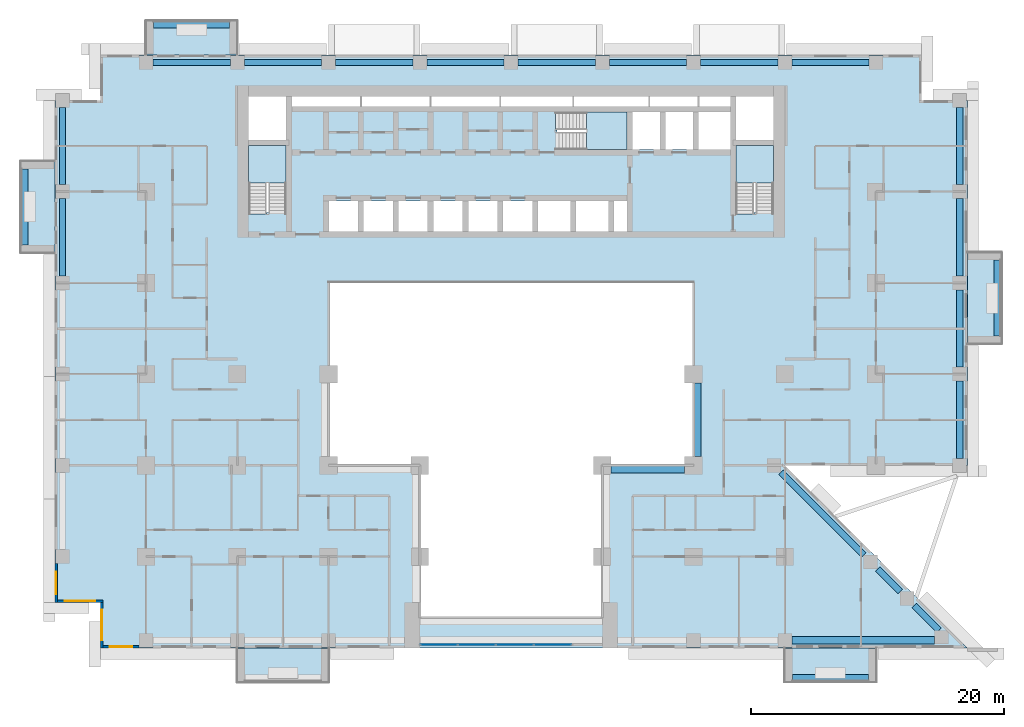
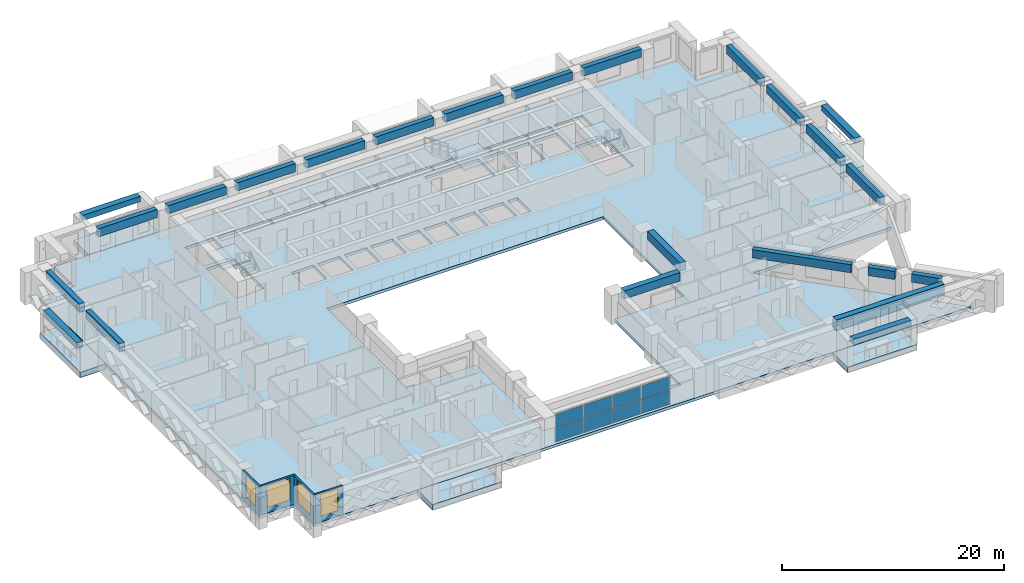
# One storey, part 5 of 17: 24 beams, 9 slabs, 8 plates, 4 walls, 4 windows, 4 openings, 4 elements without a shape of their own.
"""IFC4 building model written with IfcOpenShell, lengths in metres."""

from ifc_helpers import new_model, si_unit, direction, frame, frame_2d, origin, origin_2d, place, context, subcontext, project, spatial, polyline, rectangle, outline, extrude, source, transform, mapped, material, layer, layer_set, material_profile, profile_set, type_object, element, fill, aggregate, save


model = new_model("IFC4")

# Units and contexts
model_context = context("Model", 3, precision=1e-05, world=origin(), true_north=direction((0.0, 1.0)))
body_context = subcontext(model_context, "Body", "Model", "MODEL_VIEW")
ifc_project = project(units=[si_unit("LENGTHUNIT", "METRE"), si_unit("AREAUNIT", "SQUARE_METRE"), si_unit("VOLUMEUNIT", "CUBIC_METRE"), si_unit("PLANEANGLEUNIT", "RADIAN"), si_unit("MASSUNIT", "GRAM", prefix="KILO")], contexts=[model_context])

# Site, building, storey
site_placement = place(None, origin())
site = spatial("IfcSite", under=ifc_project, at=site_placement, CompositionType="ELEMENT")
building_placement = place(site_placement, origin())
building = spatial("IfcBuilding", under=site, at=building_placement, Name="Saffron Iwan Residences", CompositionType="ELEMENT")
storey_placement = place(building_placement, frame((0.0, 0.0, 55.0)))
storey = spatial("IfcBuildingStorey", under=building, at=storey_placement, Name="L13", CompositionType="ELEMENT", Elevation=55.0)

# Beams
ifc_material_1 = material(Name="Concrete C60/75", Category="concrete")
ifc_material_profile_1 = material_profile(ifc_material_1, rectangle(XDim=0.5, YDim=0.89990234375, at=origin_2d()), Name="RC 500x900")
ifc_profile_set_1 = profile_set([ifc_material_profile_1], Name="Concrete C60/75")
beam_type_1 = type_object("IfcBeamType", Name="SPANDREL BEAM RC 500x900 C60/75 TOP 3180", PredefinedType="SPANDREL", material=ifc_profile_set_1)
shared_shape_1 = source(origin(), body_context, "Body", "SweptSolid", [
    extrude(rectangle(XDim=0.5, YDim=0.89990234375, at=origin_2d()), origin(), (0.0, 0.0, 1.0), 6.10009765625),
])
for number, where, z_axis, x_axis, name in (
    (1, (85.800048828125, 61.85009765625, 2.72998046875), (0.0, -1.0, 0.0), (1.0, 0.0, 0.0), "Spandrel beam"),
    (2, (15.0, 62.949951171875, 2.72998046875), (0.0, 1.0, 0.0), (-1.0, 0.0, 0.0), "Spandrel beam"),
    (3, (85.800048828125, 69.050048828125, 2.72998046875), (0.0, -1.0, 0.0), (1.0, 0.0, 0.0), "Spandrel beam"),
    (4, (15.0, 70.14990234375, 2.72998046875), (0.0, 1.0, 0.0), (-1.0, 0.0, 0.0), "Spandrel beam"),
    (5, (85.800048828125, 76.25, 2.72998046875), (0.0, -1.0, 0.0), (1.0, 0.0, 0.0), "Spandrel beam"),
    (6, (22.14990234375, 79.800048828125, 2.72998046875), (1.0, 0.0, 0.0), (0.0, 1.0, 0.0), "Spandrel beam"),
    (7, (43.75, 79.800048828125, 2.72998046875), (1.0, 0.0, 0.0), (0.0, 1.0, 0.0), "Spandrel beam"),
    (8, (50.949951171875, 79.800048828125, 2.72998046875), (1.0, 0.0, 0.0), (0.0, 1.0, 0.0), "Spandrel beam"),
    (9, (58.14990234375, 79.800048828125, 2.72998046875), (1.0, 0.0, 0.0), (0.0, 1.0, 0.0), "Spandrel beam"),
):
    element("IfcBeam", number, at=place(storey_placement, frame(where, z_axis=z_axis, x_axis=x_axis)), inside=storey, type_object=beam_type_1, Name=name, PredefinedType="SPANDREL", context=body_context, shape_type="MappedRepresentation", body=[
        mapped(shared_shape_1, transform((0.0, 0.0, 0.0))),
    ])
shared_shape_2 = source(origin(), body_context, "Body", "SweptSolid", [
    extrude(rectangle(XDim=0.5, YDim=0.89990234375, at=origin_2d()), origin(), (0.0, 0.0, 1.0), 6.099853515625),
])
for number, where, z_axis, x_axis, name in (
    (10, (85.800048828125, 54.64990234375, 2.72998046875), (0.0, -1.0, 0.0), (1.0, 0.0, 0.0), "Spandrel beam"),
    (11, (29.35009765625, 79.800048828125, 2.72998046875), (1.0, 0.0, 0.0), (0.0, 1.0, 0.0), "Spandrel beam"),
    (12, (36.550048828125, 79.800048828125, 2.72998046875), (1.0, 0.0, 0.0), (0.0, 1.0, 0.0), "Spandrel beam"),
    (13, (65.35009765625, 79.800048828125, 2.72998046875), (1.0, 0.0, 0.0), (0.0, 1.0, 0.0), "Spandrel beam"),
    (14, (72.550048828125, 79.800048828125, 2.72998046875), (1.0, 0.0, 0.0), (0.0, 1.0, 0.0), "Spandrel beam"),
):
    element("IfcBeam", number, at=place(storey_placement, frame(where, z_axis=z_axis, x_axis=x_axis)), inside=storey, type_object=beam_type_1, Name=name, PredefinedType="SPANDREL", context=body_context, shape_type="MappedRepresentation", body=[
        mapped(shared_shape_2, transform((0.0, 0.0, 0.0))),
    ])
shared_shape_3 = source(origin(), body_context, "Body", "SweptSolid", [
    extrude(rectangle(XDim=0.5, YDim=0.89990234375, at=origin_2d()), origin(), (0.0, 0.0, 1.0), 2.76318359375),
])
beam_1_placement = place(storey_placement, frame((82.205810546875, 36.94580078125, 2.72998046875), z_axis=(0.707106781187, -0.707106781187, 0.0), x_axis=(0.707106781187, 0.707106781187, 0.0)))
element("IfcBeam", 15, at=beam_1_placement, inside=storey, type_object=beam_type_1, Name="Spandrel beam", PredefinedType="SPANDREL", context=body_context, shape_type="MappedRepresentation", body=[
    mapped(shared_shape_3, transform((0.0, 0.0, 0.0))),
])
shared_shape_4 = source(origin(), body_context, "Body", "SweptSolid", [
    extrude(rectangle(XDim=0.5, YDim=0.89990234375, at=origin_2d()), origin(), (0.0, 0.0, 1.0), 2.517333984375),
])
beam_2_placement = place(storey_placement, frame((79.32568359375, 39.82568359375, 2.72998046875), z_axis=(0.707106781187, -0.707106781187, 0.0), x_axis=(0.707106781187, 0.707106781187, 0.0)))
element("IfcBeam", 16, at=beam_2_placement, inside=storey, type_object=beam_type_1, Name="Spandrel beam", PredefinedType="SPANDREL", context=body_context, shape_type="MappedRepresentation", body=[
    mapped(shared_shape_4, transform((0.0, 0.0, 0.0))),
])
shared_shape_5 = source(origin(), body_context, "Body", "SweptSolid", [
    extrude(rectangle(XDim=0.5, YDim=0.89990234375, at=origin_2d()), origin(), (0.0, 0.0, 1.0), 9.228759765625),
])
beam_3_placement = place(storey_placement, frame((71.699951171875, 47.451416015625, 2.72998046875), z_axis=(0.707120008149, -0.707093553977, 0.0), x_axis=(0.707093553977, 0.707120008149, 0.0)))
element("IfcBeam", 17, at=beam_3_placement, inside=storey, type_object=beam_type_1, Name="Spandrel beam", PredefinedType="SPANDREL", context=body_context, shape_type="MappedRepresentation", body=[
    mapped(shared_shape_5, transform((0.0, 0.0, 0.0))),
])
ifc_material_profile_2 = material_profile(ifc_material_1, rectangle(XDim=0.60009765625, YDim=1.199951171875, at=origin_2d()), Name="RC 600x1200")
ifc_profile_set_2 = profile_set([ifc_material_profile_2], Name="Concrete C60/75")
beam_type_2 = type_object("IfcBeamType", Name="LINTEL BEAM RC 600x1200 C60/75 TOP 3180", PredefinedType="LINTEL", material=ifc_profile_set_2)
shared_shape_6 = source(origin(), body_context, "Body", "SweptSolid", [
    extrude(rectangle(XDim=0.60009765625, YDim=1.199951171875, at=origin_2d()), origin(), (0.0, 0.0, 1.0), 11.267333984375),
])
beam_4_placement = place(storey_placement, frame((83.8173828125, 34.199951171875, 2.580078125), z_axis=(-1.0, 0.0, 0.0), x_axis=(0.0, -1.0, 0.0)))
element("IfcBeam", 18, at=beam_4_placement, inside=storey, type_object=beam_type_2, Name="Lintel beam over the iwan", PredefinedType="LINTEL", context=body_context, shape_type="MappedRepresentation", body=[
    mapped(shared_shape_6, transform((0.0, 0.0, 0.0))),
])
ifc_material_profile_3 = material_profile(ifc_material_1, rectangle(XDim=0.60009765625, YDim=0.89990234375, at=origin_2d()), Name="RC 600x900")
ifc_profile_set_3 = profile_set([ifc_material_profile_3], Name="Concrete C60/75")
beam_type_3 = type_object("IfcBeamType", Name="BEAM RC 600x900 C60/75 TOP 3180", PredefinedType="BEAM", material=ifc_profile_set_3)
shared_shape_7 = source(origin(), body_context, "Body", "SweptSolid", [
    extrude(rectangle(XDim=0.60009765625, YDim=0.89990234375, at=origin_2d()), origin(), (0.0, 0.0, 1.0), 5.800048828125),
])
for number, where, z_axis, x_axis, name in (
    (19, (64.10009765625, 47.699951171875, 2.72998046875), (-1.0, 0.0, 0.0), (0.0, -1.0, 0.0), "Atrium edge beam"),
    (20, (65.10009765625, 54.5, 2.72998046875), (0.0, -1.0, 0.0), (1.0, 0.0, 0.0), "Atrium edge beam"),
):
    element("IfcBeam", number, at=place(storey_placement, frame(where, z_axis=z_axis, x_axis=x_axis)), inside=storey, type_object=beam_type_3, Name=name, PredefinedType="BEAM", context=body_context, shape_type="MappedRepresentation", body=[
        mapped(shared_shape_7, transform((0.0, 0.0, 0.0))),
    ])
ifc_material_2 = material(Name="Concrete C50/60 white painted", Category="concrete")
ifc_material_profile_4 = material_profile(ifc_material_2, rectangle(XDim=0.60009765625, YDim=0.60009765625, at=origin_2d()), Name="BALCONY FASCIA BEAM 600 x 600")
ifc_profile_set_4 = profile_set([ifc_material_profile_4], Name="Concrete C50/60 white painted")
beam_type_4 = type_object("IfcBeamType", Name="BALCONY FASCIA BEAM 600 x 600", PredefinedType="BEAM", material=ifc_profile_set_4)
shared_shape_8 = source(origin(), body_context, "Body", "SweptSolid", [
    extrude(rectangle(XDim=0.60009765625, YDim=0.60009765625, at=origin_2d()), origin(), (0.0, 0.0, 1.0), 6.0),
])
for number, where, z_axis, x_axis, name in (
    (21, (88.800048828125, 58.199951171875, 2.550048828125), (0.0, 1.0, 0.0), (-1.0, 0.0, 0.0), "Balcony fascia beam L13 F2-0"),
    (22, (28.199951171875, 82.800048828125, 2.550048828125), (-1.0, 0.0, 0.0), (0.0, -1.0, 0.0), "Balcony fascia beam L13 F5-3"),
    (23, (12.0, 71.39990234375, 2.550048828125), (0.0, -1.0, 0.0), (1.0, 0.0, 0.0), "Balcony fascia beam L13 F8-0"),
    (24, (72.60009765625, 31.199951171875, 2.550048828125), (1.0, 0.0, 0.0), (0.0, 1.0, 0.0), "Balcony fascia beam L13 11-1"),
):
    element("IfcBeam", number, at=place(storey_placement, frame(where, z_axis=z_axis, x_axis=x_axis)), inside=storey, type_object=beam_type_4, Name=name, PredefinedType="BEAM", context=body_context, shape_type="MappedRepresentation", body=[
        mapped(shared_shape_8, transform((0.0, 0.0, 0.0))),
    ])

# Slabs
ifc_layer_1 = layer(ifc_material_2, 0.60009765625)
ifc_layer_set_1 = layer_set([ifc_layer_1], Name="Concrete C50/60 white painted")
slab_type_1 = type_object("IfcSlabType", Name="BALCONY FRAME SLAB 600", PredefinedType="FLOOR", material=ifc_layer_set_1)
slab_1_placement = place(storey_placement, frame((0.0, 0.0, -0.60009765625)))
element("IfcSlab", 25, at=slab_1_placement, inside=storey, type_object=slab_type_1, Name="Balcony frame slab L13 F2-0", PredefinedType="FLOOR", context=body_context, shape_type="SweptSolid", body=[
    extrude(outline(polyline([(89.10009765625, 57.60009765625), (89.10009765625, 64.800048828125), (86.39990234375, 64.800048828125), (86.39990234375, 57.60009765625), (89.10009765625, 57.60009765625)])), origin(), (0.0, 0.0, 1.0), 0.60009765625),
])
slab_2_placement = place(storey_placement, frame((0.0, 0.0, -0.60009765625)))
element("IfcSlab", 26, at=slab_2_placement, inside=storey, type_object=slab_type_1, Name="Balcony frame slab L13 F5-3", PredefinedType="FLOOR", context=body_context, shape_type="SweptSolid", body=[
    extrude(outline(polyline([(28.800048828125, 83.10009765625), (21.60009765625, 83.10009765625), (21.60009765625, 80.39990234375), (28.800048828125, 80.39990234375), (28.800048828125, 83.10009765625)])), origin(), (0.0, 0.0, 1.0), 0.60009765625),
])
slab_3_placement = place(storey_placement, frame((0.0, 0.0, -0.60009765625)))
element("IfcSlab", 27, at=slab_3_placement, inside=storey, type_object=slab_type_1, Name="Balcony frame slab L13 F8-0", PredefinedType="FLOOR", context=body_context, shape_type="SweptSolid", body=[
    extrude(outline(polyline([(11.699951171875, 72.0), (11.699951171875, 64.800048828125), (14.39990234375, 64.800048828125), (14.39990234375, 72.0), (11.699951171875, 72.0)])), origin(), (0.0, 0.0, 1.0), 0.60009765625),
])
slab_4_placement = place(storey_placement, frame((0.0, 0.0, -0.60009765625)))
element("IfcSlab", 28, at=slab_4_placement, inside=storey, type_object=slab_type_1, Name="Balcony frame slab L13 11-0", PredefinedType="FLOOR", context=body_context, shape_type="SweptSolid", body=[
    extrude(outline(polyline([(28.800048828125, 30.89990234375), (36.0, 30.89990234375), (36.0, 33.60009765625), (28.800048828125, 33.60009765625), (28.800048828125, 30.89990234375)])), origin(), (0.0, 0.0, 1.0), 0.60009765625),
])
slab_5_placement = place(storey_placement, frame((0.0, 0.0, -0.60009765625)))
element("IfcSlab", 29, at=slab_5_placement, inside=storey, type_object=slab_type_1, Name="Balcony frame slab L13 11-1", PredefinedType="FLOOR", context=body_context, shape_type="SweptSolid", body=[
    extrude(outline(polyline([(72.0, 30.89990234375), (79.199951171875, 30.89990234375), (79.199951171875, 33.60009765625), (72.0, 33.60009765625), (72.0, 30.89990234375)])), origin(), (0.0, 0.0, 1.0), 0.60009765625),
])
ifc_material_3 = material(Name="Concrete C40/50", Category="concrete")
ifc_layer_2 = layer(ifc_material_3, 0.320068359375)
ifc_layer_set_2 = layer_set([ifc_layer_2], Name="Concrete C40/50")
slab_type_2 = type_object("IfcSlabType", Name="PT PLATE 320 C40/50", PredefinedType="FLOOR", material=ifc_layer_set_2)
slab_6_placement = place(storey_placement, frame((0.0, 0.0, -0.320068359375)))
element("IfcSlab", 30, at=slab_6_placement, inside=storey, type_object=slab_type_2, Name="Floor slab L13", PredefinedType="FLOOR", context=body_context, shape_type="SweptSolid", body=[
    extrude(outline(polyline([(14.39990234375, 37.199951171875), (14.39990234375, 76.800048828125), (18.0, 76.800048828125), (18.0, 80.39990234375), (82.800048828125, 80.39990234375), (82.800048828125, 76.800048828125), (86.39990234375, 76.800048828125), (86.39990234375, 48.0), (72.0, 48.0), (86.39990234375, 33.60009765625), (18.0, 33.60009765625), (18.0, 37.199951171875), (14.39990234375, 37.199951171875)]), holes=[polyline([(64.800048828125, 48.0), (64.800048828125, 62.39990234375), (36.0, 62.39990234375), (36.0, 48.0), (43.199951171875, 48.0), (43.199951171875, 36.0), (57.60009765625, 36.0), (57.60009765625, 48.0), (64.800048828125, 48.0)]), polyline([(38.324951171875, 68.875), (36.02490234375, 68.875), (36.02490234375, 66.449951171875), (38.324951171875, 66.449951171875), (38.324951171875, 68.875)]), polyline([(41.074951171875, 66.449951171875), (41.074951171875, 68.875), (38.77490234375, 68.875), (38.77490234375, 66.449951171875), (41.074951171875, 66.449951171875)]), polyline([(43.824951171875, 66.449951171875), (43.824951171875, 68.875), (41.52490234375, 68.875), (41.52490234375, 66.449951171875), (43.824951171875, 66.449951171875)]), polyline([(46.574951171875, 68.875), (44.27490234375, 68.875), (44.27490234375, 66.449951171875), (46.574951171875, 66.449951171875), (46.574951171875, 68.875)]), polyline([(49.324951171875, 66.449951171875), (49.324951171875, 68.875), (47.02490234375, 68.875), (47.02490234375, 66.449951171875), (49.324951171875, 66.449951171875)]), polyline([(52.074951171875, 66.449951171875), (52.074951171875, 68.875), (49.77490234375, 68.875), (49.77490234375, 66.449951171875), (52.074951171875, 66.449951171875)]), polyline([(29.699951171875, 73.25), (29.699951171875, 67.949951171875), (29.699951171875, 67.8505859375), (31.10009765625, 67.8505859375), (31.10009765625, 67.949951171875), (32.64990234375, 67.949951171875), (32.64990234375, 73.25), (29.699951171875, 73.25)]), polyline([(32.64990234375, 73.699951171875), (32.64990234375, 77.10009765625), (29.699951171875, 77.10009765625), (29.699951171875, 73.699951171875), (32.64990234375, 73.699951171875)]), polyline([(38.5, 76.324951171875), (38.5, 77.10009765625), (33.10009765625, 77.10009765625), (33.10009765625, 76.324951171875), (38.5, 76.324951171875)]), polyline([(44.0, 77.10009765625), (38.60009765625, 77.10009765625), (38.60009765625, 76.324951171875), (44.0, 76.324951171875), (44.0, 77.10009765625)]), polyline([(49.5, 76.324951171875), (49.5, 77.10009765625), (44.10009765625, 77.10009765625), (44.10009765625, 76.324951171875), (49.5, 76.324951171875)]), polyline([(55.25, 76.324951171875), (55.25, 77.10009765625), (49.60009765625, 77.10009765625), (49.60009765625, 76.324951171875), (55.25, 76.324951171875)]), polyline([(55.074951171875, 68.875), (52.52490234375, 68.875), (52.52490234375, 66.449951171875), (55.074951171875, 66.449951171875), (55.074951171875, 68.875)]), polyline([(58.074951171875, 66.449951171875), (58.074951171875, 68.875), (55.52490234375, 68.875), (55.52490234375, 66.449951171875), (58.074951171875, 66.449951171875)]), polyline([(59.550048828125, 66.449951171875), (59.550048828125, 68.875), (58.52490234375, 68.875), (58.52490234375, 66.449951171875), (59.550048828125, 66.449951171875)]), polyline([(68.14990234375, 73.25), (68.14990234375, 67.949951171875), (68.14990234375, 67.8505859375), (69.550048828125, 67.8505859375), (69.550048828125, 67.949951171875), (71.10009765625, 67.949951171875), (71.10009765625, 73.25), (68.14990234375, 73.25)]), polyline([(53.925537109375, 74.47509765625), (54.02490234375, 74.47509765625), (54.02490234375, 72.925048828125), (59.550048828125, 72.925048828125), (59.550048828125, 75.875), (54.02490234375, 75.875), (53.925537109375, 75.875), (53.925537109375, 74.47509765625)]), polyline([(62.14990234375, 72.925048828125), (62.14990234375, 75.875), (60.0, 75.875), (60.0, 72.925048828125), (62.14990234375, 72.925048828125)]), polyline([(64.75, 75.875), (62.60009765625, 75.875), (62.60009765625, 72.925048828125), (64.75, 72.925048828125), (64.75, 75.875)]), polyline([(67.699951171875, 72.925048828125), (67.699951171875, 75.875), (65.199951171875, 75.875), (65.199951171875, 72.925048828125), (67.699951171875, 72.925048828125)]), polyline([(71.10009765625, 73.699951171875), (71.10009765625, 77.10009765625), (68.14990234375, 77.10009765625), (68.14990234375, 73.699951171875), (71.10009765625, 73.699951171875)]), polyline([(61.25, 77.10009765625), (55.35009765625, 77.10009765625), (55.35009765625, 76.324951171875), (61.25, 76.324951171875), (61.25, 77.10009765625)]), polyline([(65.14990234375, 76.324951171875), (65.14990234375, 77.10009765625), (61.35009765625, 77.10009765625), (61.35009765625, 76.324951171875), (65.14990234375, 76.324951171875)]), polyline([(67.699951171875, 76.324951171875), (67.699951171875, 77.10009765625), (65.25, 77.10009765625), (65.25, 76.324951171875), (67.699951171875, 76.324951171875)])]), origin(), (0.0, 0.0, 1.0), 0.320068359375),
])

# Stair, slab
ifc_material_4 = material(Name="Concrete C50/60", Category="concrete")
stair_type = type_object("IfcStairType", Name="Stair ST-CORE", PredefinedType="HALF_TURN_STAIR", material=ifc_material_4)
stair_1_placement = place(storey_placement, origin())
stair_1 = element("IfcStair", 31, at=stair_1_placement, inside=storey, type_object=stair_type, Name="L13 Exit Stair ST-W", PredefinedType="HALF_TURN_STAIR")
ifc_layer_3 = layer(ifc_material_4, 0.199951171875)
ifc_layer_set_3 = layer_set([ifc_layer_3], Name="Concrete C50/60")
slab_type_3 = type_object("IfcSlabType", Name="Stair landing SL-RC", PredefinedType="LANDING", material=ifc_layer_set_3)
slab_7_placement = place(storey_placement, frame((0.0, 0.0, 1.5498046875)))
slab_7 = element("IfcSlab", 32, at=slab_7_placement, type_object=slab_type_3, Name="ST-W landing 1", PredefinedType="LANDING", context=body_context, shape_type="SweptSolid", body=[
    extrude(outline(polyline([(32.64990234375, 70.280029296875), (32.64990234375, 73.25), (29.699951171875, 73.25), (29.699951171875, 70.280029296875), (32.64990234375, 70.280029296875)])), origin(), (0.0, 0.0, 1.0), 0.2001953125),
])
aggregate(stair_1, [slab_7])

stair_2_placement = place(storey_placement, origin())
stair_2 = element("IfcStair", 33, at=stair_2_placement, inside=storey, type_object=stair_type, Name="L13 Exit Stair ST-C", PredefinedType="HALF_TURN_STAIR")
slab_8_placement = place(storey_placement, frame((0.0, 0.0, 1.5498046875)))
slab_8 = element("IfcSlab", 34, at=slab_8_placement, type_object=slab_type_3, Name="ST-C landing 1", PredefinedType="LANDING", context=body_context, shape_type="SweptSolid", body=[
    extrude(outline(polyline([(56.35498046875, 72.925048828125), (59.550048828125, 72.925048828125), (59.550048828125, 75.875), (56.35498046875, 75.875), (56.35498046875, 72.925048828125)])), origin(), (0.0, 0.0, 1.0), 0.2001953125),
])
aggregate(stair_2, [slab_8])

stair_3_placement = place(storey_placement, origin())
stair_3 = element("IfcStair", 35, at=stair_3_placement, inside=storey, type_object=stair_type, Name="L13 Exit Stair ST-E", PredefinedType="HALF_TURN_STAIR")
slab_9_placement = place(storey_placement, frame((0.0, 0.0, 1.5498046875)))
slab_9 = element("IfcSlab", 36, at=slab_9_placement, type_object=slab_type_3, Name="ST-E landing 1", PredefinedType="LANDING", context=body_context, shape_type="SweptSolid", body=[
    extrude(outline(polyline([(71.10009765625, 70.280029296875), (71.10009765625, 73.25), (68.14990234375, 73.25), (68.14990234375, 70.280029296875), (71.10009765625, 70.280029296875)])), origin(), (0.0, 0.0, 1.0), 0.2001953125),
])
aggregate(stair_3, [slab_9])

# Curtain wall, plates
ifc_material_5 = material(Name="Clear glass, laminated double glazed", Category="glass")
ifc_layer_4 = layer(ifc_material_5, 0.199951171875)
ifc_layer_set_4 = layer_set([ifc_layer_4], Name="Clear glass, laminated double glazed")
curtain_wall_type = type_object("IfcCurtainWallType", Name="CW-B IWAN PORTAL", PredefinedType="NOTDEFINED", material=ifc_layer_set_4)
curtain_wall_placement = place(storey_placement, origin())
curtain_wall = element("IfcCurtainWall", 37, at=curtain_wall_placement, inside=storey, type_object=curtain_wall_type, Name="Iwan portal glazing L13.1", PredefinedType="NOTDEFINED")
ifc_layer_5 = layer(ifc_material_5, 0.028076171875)
ifc_layer_set_5 = layer_set([ifc_layer_5], Name="Clear glass, laminated double glazed")
plate_type = type_object("IfcPlateType", Name="CW-B PANEL 28", PredefinedType="CURTAIN_PANEL", material=ifc_layer_set_5)
shared_shape_9 = source(origin(), body_context, "Body", "SweptSolid", [
    extrude(rectangle(XDim=2.909912109375, YDim=0.028076171875, at=origin_2d()), origin(), (0.0, 0.0, 1.0), 1.5),
])
plate_1_placement = place(storey_placement, frame((44.715087890625, 33.85009765625, 0.06005859375), z_axis=(0.0, 0.0, 1.0), x_axis=(1.0, 0.0, 0.0)))
plate_1 = element("IfcPlate", 38, at=plate_1_placement, type_object=plate_type, Name="CW-B panel 1.1", PredefinedType="CURTAIN_PANEL", context=body_context, shape_type="MappedRepresentation", body=[
    mapped(shared_shape_9, transform((0.0, 0.0, 0.0))),
])
plate_2_placement = place(storey_placement, frame((44.715087890625, 33.85009765625, 1.6201171875), z_axis=(0.0, 0.0, 1.0), x_axis=(1.0, 0.0, 0.0)))
plate_2 = element("IfcPlate", 39, at=plate_2_placement, type_object=plate_type, Name="CW-B panel 1.2", PredefinedType="CURTAIN_PANEL", context=body_context, shape_type="MappedRepresentation", body=[
    mapped(shared_shape_9, transform((0.0, 0.0, 0.0))),
])
plate_3_placement = place(storey_placement, frame((53.68505859375, 33.85009765625, 0.06005859375), z_axis=(0.0, 0.0, 1.0), x_axis=(1.0, 0.0, 0.0)))
plate_3 = element("IfcPlate", 40, at=plate_3_placement, type_object=plate_type, Name="CW-B panel 4.1", PredefinedType="CURTAIN_PANEL", context=body_context, shape_type="MappedRepresentation", body=[
    mapped(shared_shape_9, transform((0.0, 0.0, 0.0))),
])
plate_4_placement = place(storey_placement, frame((53.68505859375, 33.85009765625, 1.6201171875), z_axis=(0.0, 0.0, 1.0), x_axis=(1.0, 0.0, 0.0)))
plate_4 = element("IfcPlate", 41, at=plate_4_placement, type_object=plate_type, Name="CW-B panel 4.2", PredefinedType="CURTAIN_PANEL", context=body_context, shape_type="MappedRepresentation", body=[
    mapped(shared_shape_9, transform((0.0, 0.0, 0.0))),
])
shared_shape_10 = source(origin(), body_context, "Body", "SweptSolid", [
    extrude(rectangle(XDim=2.93994140625, YDim=0.028076171875, at=origin_2d()), origin(), (0.0, 0.0, 1.0), 1.5),
])
plate_5_placement = place(storey_placement, frame((47.699951171875, 33.85009765625, 0.06005859375), z_axis=(0.0, 0.0, 1.0), x_axis=(1.0, 0.0, 0.0)))
plate_5 = element("IfcPlate", 42, at=plate_5_placement, type_object=plate_type, Name="CW-B panel 2.1", PredefinedType="CURTAIN_PANEL", context=body_context, shape_type="MappedRepresentation", body=[
    mapped(shared_shape_10, transform((0.0, 0.0, 0.0))),
])
plate_6_placement = place(storey_placement, frame((47.699951171875, 33.85009765625, 1.6201171875), z_axis=(0.0, 0.0, 1.0), x_axis=(1.0, 0.0, 0.0)))
plate_6 = element("IfcPlate", 43, at=plate_6_placement, type_object=plate_type, Name="CW-B panel 2.2", PredefinedType="CURTAIN_PANEL", context=body_context, shape_type="MappedRepresentation", body=[
    mapped(shared_shape_10, transform((0.0, 0.0, 0.0))),
])
plate_7_placement = place(storey_placement, frame((50.699951171875, 33.85009765625, 0.06005859375), z_axis=(0.0, 0.0, 1.0), x_axis=(1.0, 0.0, 0.0)))
plate_7 = element("IfcPlate", 44, at=plate_7_placement, type_object=plate_type, Name="CW-B panel 3.1", PredefinedType="CURTAIN_PANEL", context=body_context, shape_type="MappedRepresentation", body=[
    mapped(shared_shape_10, transform((0.0, 0.0, 0.0))),
])
plate_8_placement = place(storey_placement, frame((50.699951171875, 33.85009765625, 1.6201171875), z_axis=(0.0, 0.0, 1.0), x_axis=(1.0, 0.0, 0.0)))
plate_8 = element("IfcPlate", 45, at=plate_8_placement, type_object=plate_type, Name="CW-B panel 3.2", PredefinedType="CURTAIN_PANEL", context=body_context, shape_type="MappedRepresentation", body=[
    mapped(shared_shape_10, transform((0.0, 0.0, 0.0))),
])
aggregate(curtain_wall, [plate_1, plate_2, plate_5, plate_6, plate_7, plate_8, plate_3, plate_4])

# Wall, opening, window
ifc_layer_6 = layer(ifc_material_3, 0.199951171875)
ifc_layer_set_6 = layer_set([ifc_layer_6], Name="Concrete C40/50")
wall_type = type_object("IfcWallType", Name="EXTERNAL WALL 200", PredefinedType="SOLIDWALL", material=ifc_layer_set_6)
wall_1_placement = place(storey_placement, frame((14.5, 40.25, 0.0), z_axis=(0.0, 0.0, 1.0), x_axis=(0.0, -1.0, 0.0)))
wall_1 = element("IfcWall", 46, at=wall_1_placement, inside=storey, type_object=wall_type, Name="External wall L13 F8.5", PredefinedType="SOLIDWALL", context=body_context, shape_type="SweptSolid", body=[
    extrude(rectangle(XDim=3.050048828125, YDim=0.199951171875, at=frame_2d((1.52490234375, 0.0))), origin(), (0.0, 0.0, 1.0), 3.179931640625),
])
opening_1_placement = place(wall_1_placement, frame((0.625, 0.0, 0.60009765625)))
opening_1 = element("IfcOpeningElement", 47, at=opening_1_placement, cuts=wall_1, Name="Opening W8", PredefinedType="OPENING", context=body_context, shape_type="SweptSolid", body=[
    extrude(rectangle(XDim=1.800048828125, YDim=2.39990234375, at=frame_2d((0.89990234375, 1.199951171875))), frame((0.0, 0.10986328125, 0.0), z_axis=(0.0, -1.0, 0.0), x_axis=(1.0, 0.0, 0.0)), (0.0, 0.0, 1.0), 0.219970703125),
])
window_type_1 = type_object("IfcWindowType", Name="WINDOW 1800 x 2400", PartitioningType="DOUBLE_PANEL_VERTICAL", PredefinedType="WINDOW", material=ifc_material_5)
window_1_placement = place(opening_1_placement, origin())
window_1 = element("IfcWindow", 48, at=window_1_placement, inside=storey, type_object=window_type_1, Name="Window L13 F8.0", OverallHeight=2.39990234375, OverallWidth=1.800048828125, PartitioningType="DOUBLE_PANEL_VERTICAL", PredefinedType="WINDOW", context=body_context, shape_type="SweptSolid", body=[
    extrude(rectangle(XDim=1.800048828125, YDim=2.39990234375, at=frame_2d((0.89990234375, 1.199951171875))), frame((0.0, 0.030029296875, 0.0), z_axis=(0.0, -1.0, 0.0), x_axis=(1.0, 0.0, 0.0)), (0.0, 0.0, 1.0), 0.06005859375),
])
fill(opening_1, window_1)

wall_2_placement = place(storey_placement, frame((14.60009765625, 37.300048828125, 0.0), z_axis=(0.0, 0.0, 1.0), x_axis=(1.0, 0.0, 0.0)))
wall_2 = element("IfcWall", 49, at=wall_2_placement, inside=storey, type_object=wall_type, Name="External wall L13 F9.0", PredefinedType="SOLIDWALL", context=body_context, shape_type="SweptSolid", body=[
    extrude(rectangle(XDim=3.599853515625, YDim=0.199951171875, at=frame_2d((1.7998046875, 0.0))), origin(), (0.0, 0.0, 1.0), 3.179931640625),
])
opening_2_placement = place(wall_2_placement, frame((0.60009765625, 0.0, 0.60009765625)))
opening_2 = element("IfcOpeningElement", 50, at=opening_2_placement, cuts=wall_2, Name="Opening W1", PredefinedType="OPENING", context=body_context, shape_type="SweptSolid", body=[
    extrude(rectangle(XDim=2.39990234375, YDim=2.39990234375, at=frame_2d((1.199951171875, 1.199951171875))), frame((0.0, 0.10986328125, 0.0), z_axis=(0.0, -1.0, 0.0), x_axis=(1.0, 0.0, 0.0)), (0.0, 0.0, 1.0), 0.219970703125),
])
window_type_2 = type_object("IfcWindowType", Name="WINDOW 2400 x 2400", PartitioningType="DOUBLE_PANEL_VERTICAL", PredefinedType="WINDOW", material=ifc_material_5)
window_2_placement = place(opening_2_placement, origin())
window_2 = element("IfcWindow", 51, at=window_2_placement, inside=storey, type_object=window_type_2, Name="Window L13 F9.0", OverallHeight=2.39990234375, OverallWidth=2.39990234375, PartitioningType="DOUBLE_PANEL_VERTICAL", PredefinedType="WINDOW", context=body_context, shape_type="SweptSolid", body=[
    extrude(rectangle(XDim=2.39990234375, YDim=2.39990234375, at=frame_2d((1.199951171875, 1.199951171875))), frame((0.0, 0.030029296875, 0.0), z_axis=(0.0, -1.0, 0.0), x_axis=(1.0, 0.0, 0.0)), (0.0, 0.0, 1.0), 0.06005859375),
])
fill(opening_2, window_2)

wall_3_placement = place(storey_placement, frame((18.10009765625, 37.199951171875, 0.0), z_axis=(0.0, 0.0, 1.0), x_axis=(0.0, -1.0, 0.0)))
wall_3 = element("IfcWall", 52, at=wall_3_placement, inside=storey, type_object=wall_type, Name="External wall L13 F10.0", PredefinedType="SOLIDWALL", context=body_context, shape_type="SweptSolid", body=[
    extrude(rectangle(XDim=3.599853515625, YDim=0.199951171875, at=frame_2d((1.7998046875, 0.0))), origin(), (0.0, 0.0, 1.0), 3.179931640625),
])
opening_3_placement = place(wall_3_placement, frame((0.60009765625, 0.0, 0.60009765625)))
opening_3 = element("IfcOpeningElement", 53, at=opening_3_placement, cuts=wall_3, Name="Opening W1", PredefinedType="OPENING", context=body_context, shape_type="SweptSolid", body=[
    extrude(rectangle(XDim=2.39990234375, YDim=2.39990234375, at=frame_2d((1.199951171875, 1.199951171875))), frame((0.0, 0.10986328125, 0.0), z_axis=(0.0, -1.0, 0.0), x_axis=(1.0, 0.0, 0.0)), (0.0, 0.0, 1.0), 0.219970703125),
])
window_3_placement = place(opening_3_placement, origin())
window_3 = element("IfcWindow", 54, at=window_3_placement, inside=storey, type_object=window_type_2, Name="Window L13 F10.0", OverallHeight=2.39990234375, OverallWidth=2.39990234375, PartitioningType="DOUBLE_PANEL_VERTICAL", PredefinedType="WINDOW", context=body_context, shape_type="SweptSolid", body=[
    extrude(rectangle(XDim=2.39990234375, YDim=2.39990234375, at=frame_2d((1.199951171875, 1.199951171875))), frame((0.0, 0.030029296875, 0.0), z_axis=(0.0, -1.0, 0.0), x_axis=(1.0, 0.0, 0.0)), (0.0, 0.0, 1.0), 0.06005859375),
])
fill(opening_3, window_3)

wall_4_placement = place(storey_placement, frame((18.199951171875, 33.699951171875, 0.0), z_axis=(0.0, 0.0, 1.0), x_axis=(1.0, 0.0, 0.0)))
wall_4 = element("IfcWall", 55, at=wall_4_placement, inside=storey, type_object=wall_type, Name="External wall L13 F11.0", PredefinedType="SOLIDWALL", context=body_context, shape_type="SweptSolid", body=[
    extrude(rectangle(XDim=2.85009765625, YDim=0.199951171875, at=frame_2d((1.425048828125, 0.0))), origin(), (0.0, 0.0, 1.0), 3.179931640625),
])
opening_4_placement = place(wall_4_placement, frame((0.52490234375, 0.0, 0.60009765625)))
opening_4 = element("IfcOpeningElement", 56, at=opening_4_placement, cuts=wall_4, Name="Opening W8", PredefinedType="OPENING", context=body_context, shape_type="SweptSolid", body=[
    extrude(rectangle(XDim=1.800048828125, YDim=2.39990234375, at=frame_2d((0.89990234375, 1.199951171875))), frame((0.0, 0.10986328125, 0.0), z_axis=(0.0, -1.0, 0.0), x_axis=(1.0, 0.0, 0.0)), (0.0, 0.0, 1.0), 0.219970703125),
])
window_4_placement = place(opening_4_placement, origin())
window_4 = element("IfcWindow", 57, at=window_4_placement, inside=storey, type_object=window_type_1, Name="Window L13 F11.0", OverallHeight=2.39990234375, OverallWidth=1.800048828125, PartitioningType="DOUBLE_PANEL_VERTICAL", PredefinedType="WINDOW", context=body_context, shape_type="SweptSolid", body=[
    extrude(rectangle(XDim=1.800048828125, YDim=2.39990234375, at=frame_2d((0.89990234375, 1.199951171875))), frame((0.0, 0.030029296875, 0.0), z_axis=(0.0, -1.0, 0.0), x_axis=(1.0, 0.0, 0.0)), (0.0, 0.0, 1.0), 0.06005859375),
])
fill(opening_4, window_4)

save(model, "model.ifc")
